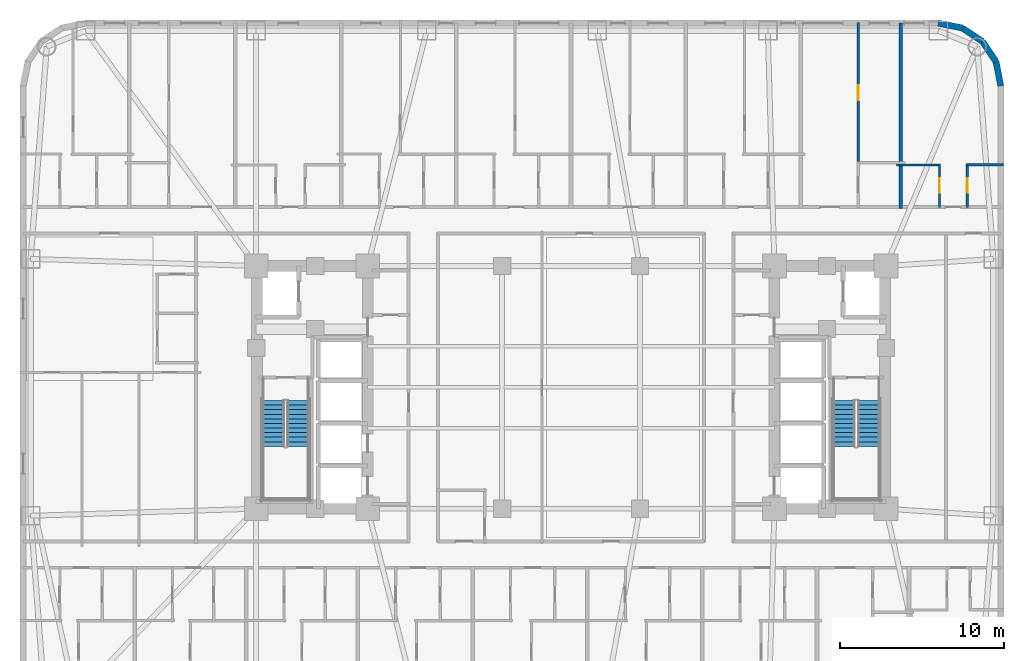
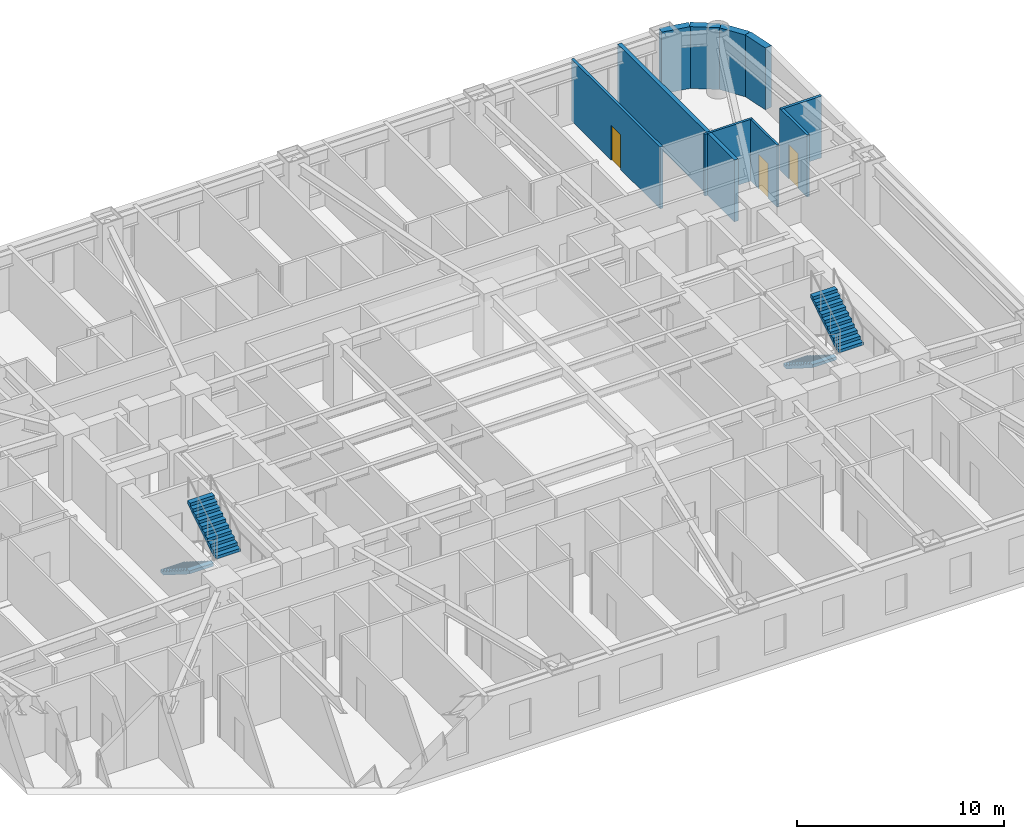
# One storey, part 10 of 12: 10 walls, 4 stair flights, 3 doors, 3 openings, 2 elements without a shape of their own.
"""IFC4 building model written with IfcOpenShell, lengths in metres."""

from ifc_helpers import new_model, si_unit, direction, frame, frame_2d, origin, place, context, subcontext, project, spatial, polyline, rectangle, outline, extrude, material, layer, layer_set, type_object, element, fill, aggregate, save


model = new_model("IFC4")

# Units and contexts
model_context = context("Model", 3, precision=1e-05, world=origin(), true_north=direction((0.0, 1.0)))
body_context = subcontext(model_context, "Body", "Model", "MODEL_VIEW")
ifc_project = project(units=[si_unit("LENGTHUNIT", "METRE"), si_unit("AREAUNIT", "SQUARE_METRE"), si_unit("VOLUMEUNIT", "CUBIC_METRE"), si_unit("PLANEANGLEUNIT", "RADIAN"), si_unit("MASSUNIT", "GRAM", prefix="KILO")], contexts=[model_context])

# Site, building, storey
site_placement = place(None, origin())
site = spatial("IfcSite", under=ifc_project, at=site_placement, CompositionType="ELEMENT")
building_placement = place(site_placement, origin())
building = spatial("IfcBuilding", under=site, at=building_placement, Name="Voryun Gate Residences", CompositionType="ELEMENT")
storey_placement = place(building_placement, frame((0.0, 0.0, 65.0)))
storey = spatial("IfcBuildingStorey", under=building, at=storey_placement, Name="L15", CompositionType="ELEMENT", Elevation=65.0)

# Walls
ifc_material_1 = material(Name="Granite masonry", Category="masonry")
ifc_layer_1 = layer(ifc_material_1, 0.3798828125, Name="W_EXT_GRANITE_380")
ifc_layer_set_1 = layer_set([ifc_layer_1], Name="Granite masonry")
wall_type_1 = type_object("IfcWallType", Name="W_EXT_GRANITE_380", PredefinedType="ELEMENTEDWALL", material=ifc_layer_set_1)
wall_1_placement = place(storey_placement, frame((22.38134765625, 22.2099609375, 0.0), z_axis=(0.0, 0.0, 1.0), x_axis=(0.980786132421, -0.195086038585, 0.0)))
element("IfcWall", 1, at=wall_1_placement, inside=storey, type_object=wall_type_1, Name="Exterior wall WEXT-L15-12", PredefinedType="ELEMENTEDWALL", context=body_context, shape_type="SweptSolid", body=[
    extrude(rectangle(XDim=1.504150390625, YDim=0.3798828125, at=frame_2d((0.751953125, 0.0))), origin(), (0.0, 0.0, 1.0), 3.64990234375),
])
for number, where, z_axis, x_axis, name in (
    (2, (23.856689453125, 21.91650390625, 0.0), (0.0, 0.0, 1.0), (0.831392092774, -0.555686231674, 0.0), "Exterior wall WEXT-L15-13"),
    (3, (25.09130859375, 21.09130859375, 0.0), (0.0, 0.0, 1.0), (0.555686231674, -0.831392092774, 0.0), "Exterior wall WEXT-L15-14"),
):
    element("IfcWall", number, at=place(storey_placement, frame(where, z_axis=z_axis, x_axis=x_axis)), inside=storey, type_object=wall_type_1, Name=name, PredefinedType="ELEMENTEDWALL", context=body_context, shape_type="SweptSolid", body=[
        extrude(rectangle(XDim=1.485107421875, YDim=0.3798828125, at=frame_2d((0.74267578125, 0.0))), origin(), (0.0, 0.0, 1.0), 3.64990234375),
    ])
wall_2_placement = place(storey_placement, frame((25.91650390625, 19.856689453125, 0.0), z_axis=(0.0, 0.0, 1.0), x_axis=(0.195086038585, -0.980786132421, 0.0)))
element("IfcWall", 4, at=wall_2_placement, inside=storey, type_object=wall_type_1, Name="Exterior wall WEXT-L15-15", PredefinedType="ELEMENTEDWALL", context=body_context, shape_type="SweptSolid", body=[
    extrude(rectangle(XDim=1.504150390625, YDim=0.3798828125, at=frame_2d((0.751953125, 0.0))), origin(), (0.0, 0.0, 1.0), 3.64990234375),
])
ifc_material_2 = material(Name="Concrete C40/50", Category="concrete")
ifc_layer_2 = layer(ifc_material_2, 0.219970703125, Name="W_PARTY_ACOUSTIC_220")
ifc_layer_set_2 = layer_set([ifc_layer_2], Name="Concrete C40/50")
wall_type_2 = type_object("IfcWallType", Name="W_PARTY_ACOUSTIC_220", PredefinedType="PARTITIONING", material=ifc_layer_set_2)
wall_3_placement = place(storey_placement, frame((20.10888671875, 10.919921875, 0.0), z_axis=(0.0, 0.0, 1.0), x_axis=(0.0, 1.0, 0.0)))
element("IfcWall", 5, at=wall_3_placement, inside=storey, type_object=wall_type_2, Name="Partition wall WP-L15-NPTY-8", PredefinedType="PARTITIONING", context=body_context, shape_type="SweptSolid", body=[
    extrude(rectangle(XDim=11.2900390625, YDim=0.219970703125, at=frame_2d((5.64501953125, 0.0))), origin(), (0.0, 0.0, 1.0), 3.64990234375),
])

# Wall, opening, door
ifc_material_3 = material(Name="Gypsum acoustic partition")
ifc_layer_3 = layer(ifc_material_3, 0.125, Name="W_UNIT_PART_125")
ifc_layer_set_3 = layer_set([ifc_layer_3], Name="Gypsum acoustic partition")
wall_type_3 = type_object("IfcWallType", Name="W_UNIT_PART_125", PredefinedType="PARTITIONING", material=ifc_layer_set_3)
wall_4_placement = place(storey_placement, frame((22.467041015625, 10.97998046875, 0.0), z_axis=(0.0, 0.0, 1.0), x_axis=(0.0, 1.0, 0.0)))
wall_4 = element("IfcWall", 6, at=wall_4_placement, inside=storey, type_object=wall_type_3, Name="Partition wall WP-L15-N9-CVK", PredefinedType="PARTITIONING", context=body_context, shape_type="SweptSolid", body=[
    extrude(rectangle(XDim=2.64990234375, YDim=0.125, at=frame_2d((1.324951171875, 0.0))), origin(), (0.0, 0.0, 1.0), 3.64990234375),
])
opening_1_placement = place(wall_4_placement, frame((0.875, 0.0, 0.0)))
opening_1 = element("IfcOpeningElement", 7, at=opening_1_placement, cuts=wall_4, Name="Opening D-INT-2", PredefinedType="OPENING", context=body_context, shape_type="SweptSolid", body=[
    extrude(rectangle(XDim=0.89990234375, YDim=2.050048828125, at=frame_2d((0.449951171875, 1.02490234375))), frame((0.0, 0.072509765625, 0.0), z_axis=(0.0, -1.0, 0.0), x_axis=(1.0, 0.0, 0.0)), (0.0, 0.0, 1.0), 0.14501953125),
])
ifc_material_4 = material(Name="Architectural oak veneer")
door_type = type_object("IfcDoorType", Name="DR_INT_BATH_900", OperationType="NOTDEFINED", PredefinedType="DOOR", material=ifc_material_4)
door_1_placement = place(opening_1_placement, origin())
door_1 = element("IfcDoor", 8, at=door_1_placement, inside=storey, type_object=door_type, Name="Door DR-L15-N9-DK", OperationType="SINGLE_SWING_LEFT", OverallHeight=2.050048828125, OverallWidth=0.89990234375, PredefinedType="DOOR", context=body_context, shape_type="SweptSolid", body=[
    extrude(rectangle(XDim=0.89990234375, YDim=2.050048828125, at=frame_2d((0.449951171875, 1.02490234375))), frame((0.0, 0.02490234375, 0.0), z_axis=(0.0, -1.0, 0.0), x_axis=(1.0, 0.0, 0.0)), (0.0, 0.0, 1.0), 0.050048828125),
])
fill(opening_1, door_1)

# Wall
wall_5_placement = place(storey_placement, frame((19.84912109375, 13.570068359375, 0.0), z_axis=(0.0, 0.0, 1.0), x_axis=(1.0, 0.0, 0.0)))
element("IfcWall", 9, at=wall_5_placement, inside=storey, type_object=wall_type_3, Name="Partition wall WP-L15-N9-CHK", PredefinedType="PARTITIONING", context=body_context, shape_type="SweptSolid", body=[
    extrude(rectangle(XDim=2.677978515625, YDim=0.125, at=frame_2d((1.3388671875, 0.0))), origin(), (0.0, 0.0, 1.0), 3.64990234375),
])

# Wall, opening, door
ifc_material_5 = material(Name="Gypsum moisture-resistant partition")
ifc_layer_4 = layer(ifc_material_5, 0.14990234375, Name="W_WET_PLUMB_150")
ifc_layer_set_4 = layer_set([ifc_layer_4], Name="Gypsum moisture-resistant partition")
wall_type_4 = type_object("IfcWallType", Name="W_WET_PLUMB_150", PredefinedType="PLUMBINGWALL", material=ifc_layer_set_4)
wall_6_placement = place(storey_placement, frame((17.510009765625, 13.659912109375, 0.0), z_axis=(0.0, 0.0, 1.0), x_axis=(0.0, 1.0, 0.0)))
wall_6 = element("IfcWall", 10, at=wall_6_placement, inside=storey, type_object=wall_type_4, Name="Partition wall WP-L15-N8-SVT2", PredefinedType="PLUMBINGWALL", context=body_context, shape_type="SweptSolid", body=[
    extrude(rectangle(XDim=8.59765625, YDim=0.14990234375, at=frame_2d((4.298828125, 0.0))), origin(), (0.0, 0.0, 1.0), 3.64990234375),
])
opening_2_placement = place(wall_6_placement, frame((3.848876953125, 0.0, 0.0)))
opening_2 = element("IfcOpeningElement", 11, at=opening_2_placement, cuts=wall_6, Name="Opening D-INT-2", PredefinedType="OPENING", context=body_context, shape_type="SweptSolid", body=[
    extrude(rectangle(XDim=0.89990234375, YDim=2.050048828125, at=frame_2d((0.449951171875, 1.02490234375))), frame((0.0, 0.0849609375, 0.0), z_axis=(0.0, -1.0, 0.0), x_axis=(1.0, 0.0, 0.0)), (0.0, 0.0, 1.0), 0.169921875),
])
door_2_placement = place(opening_2_placement, origin())
door_2 = element("IfcDoor", 12, at=door_2_placement, inside=storey, type_object=door_type, Name="Door DR-L15-N8-DK", OperationType="SINGLE_SWING_RIGHT", OverallHeight=2.050048828125, OverallWidth=0.89990234375, PredefinedType="DOOR", context=body_context, shape_type="SweptSolid", body=[
    extrude(rectangle(XDim=0.89990234375, YDim=2.050048828125, at=frame_2d((0.449951171875, 1.02490234375))), frame((0.0, 0.02490234375, 0.0), z_axis=(0.0, -1.0, 0.0), x_axis=(1.0, 0.0, 0.0)), (0.0, 0.0, 1.0), 0.050048828125),
])
fill(opening_2, door_2)

wall_7_placement = place(storey_placement, frame((24.160888671875, 10.97998046875, 0.0), z_axis=(0.0, 0.0, 1.0), x_axis=(0.0, 1.0, 0.0)))
wall_7 = element("IfcWall", 13, at=wall_7_placement, inside=storey, type_object=wall_type_4, Name="Partition wall WP-L15-N9-CVB", PredefinedType="PLUMBINGWALL", context=body_context, shape_type="SweptSolid", body=[
    extrude(rectangle(XDim=2.64990234375, YDim=0.14990234375, at=frame_2d((1.324951171875, 0.0))), origin(), (0.0, 0.0, 1.0), 3.64990234375),
])
opening_3_placement = place(wall_7_placement, frame((0.875, 0.0, 0.0)))
opening_3 = element("IfcOpeningElement", 14, at=opening_3_placement, cuts=wall_7, Name="Opening D-INT-2", PredefinedType="OPENING", context=body_context, shape_type="SweptSolid", body=[
    extrude(rectangle(XDim=0.89990234375, YDim=2.050048828125, at=frame_2d((0.449951171875, 1.02490234375))), frame((0.0, 0.0849609375, 0.0), z_axis=(0.0, -1.0, 0.0), x_axis=(1.0, 0.0, 0.0)), (0.0, 0.0, 1.0), 0.169921875),
])
door_3_placement = place(opening_3_placement, origin())
door_3 = element("IfcDoor", 15, at=door_3_placement, inside=storey, type_object=door_type, Name="Door DR-L15-N9-DB", OperationType="SINGLE_SWING_RIGHT", OverallHeight=2.050048828125, OverallWidth=0.89990234375, PredefinedType="DOOR", context=body_context, shape_type="SweptSolid", body=[
    extrude(rectangle(XDim=0.89990234375, YDim=2.050048828125, at=frame_2d((0.449951171875, 1.02490234375))), frame((0.0, 0.02490234375, 0.0), z_axis=(0.0, -1.0, 0.0), x_axis=(1.0, 0.0, 0.0)), (0.0, 0.0, 1.0), 0.050048828125),
])
fill(opening_3, door_3)

# Wall
wall_8_placement = place(storey_placement, frame((24.10107421875, 13.570068359375, 0.0), z_axis=(0.0, 0.0, 1.0), x_axis=(1.0, 0.0, 0.0)))
element("IfcWall", 16, at=wall_8_placement, inside=storey, type_object=wall_type_4, Name="Partition wall WP-L15-N9-CHB", PredefinedType="PLUMBINGWALL", context=body_context, shape_type="SweptSolid", body=[
    extrude(rectangle(XDim=2.259033203125, YDim=0.14990234375, at=frame_2d((1.12939453125, 0.0))), origin(), (0.0, 0.0, 1.0), 3.64990234375),
])

# Stair, stair flights
ifc_material_6 = material(Name="Concrete C40/50", Category="concrete")
stair_type = type_object("IfcStairType", Name="STR_CORE_DOGLEG_1350", PredefinedType="HALF_TURN_STAIR", material=ifc_material_6)
stair_1_placement = place(storey_placement, origin())
stair_1 = element("IfcStair", 17, at=stair_1_placement, inside=storey, type_object=stair_type, Name="L15 Special Escape Stair ST-W1", PredefinedType="HALF_TURN_STAIR")
ifc_material_7 = material(Name="Concrete C40/50", Category="concrete")
stair_flight_type = type_object("IfcStairFlightType", Name="FLT_CORE_1350", PredefinedType="STRAIGHT", material=ifc_material_7)
stair_flight_1_placement = place(storey_placement, frame((-18.14990234375, -0.800048828125, 0.0), z_axis=(0.0, 0.0, 1.0), x_axis=(0.0, -1.0, 0.0)))
stair_flight_1 = element("IfcStairFlight", 18, at=stair_flight_1_placement, type_object=stair_flight_type, Name="ST-W1 flight 1", NumberOfRisers=11, NumberOfTreads=10, PredefinedType="STRAIGHT", RiserHeight=0.177272727, TreadLength=0.28, context=body_context, shape_type="SweptSolid", body=[
    extrude(outline(polyline([(0.0, 0.0), (0.0, 0.17724609375), (0.280029296875, 0.17724609375), (0.280029296875, 0.3544921875), (0.56005859375, 0.3544921875), (0.56005859375, 0.53173828125), (0.840087890625, 0.53173828125), (0.840087890625, 0.708984375), (1.1201171875, 0.708984375), (1.1201171875, 0.886474609375), (1.39990234375, 0.886474609375), (1.39990234375, 1.063720703125), (1.679931640625, 1.063720703125), (1.679931640625, 1.240966796875), (1.9599609375, 1.240966796875), (1.9599609375, 1.418212890625), (2.239990234375, 1.418212890625), (2.239990234375, 1.595458984375), (2.52001953125, 1.595458984375), (2.52001953125, 1.772705078125), (2.800048828125, 1.772705078125), (2.800048828125, 1.949951171875), (2.800048828125, 1.59521484375), (0.2802734375, 0.0), (0.0, 0.0)])), frame((0.0, 0.675048828125, 0.0), z_axis=(0.0, -1.0, 0.0), x_axis=(1.0, 0.0, 0.0)), (0.0, 0.0, 1.0), 1.35009765625),
])
stair_flight_2_placement = place(storey_placement, frame((-16.64990234375, -3.60009765625, 1.949951171875), z_axis=(0.0, 0.0, 1.0), x_axis=(0.0, 1.0, 0.0)))
stair_flight_2 = element("IfcStairFlight", 19, at=stair_flight_2_placement, type_object=stair_flight_type, Name="ST-W1 flight 2", NumberOfRisers=11, NumberOfTreads=10, PredefinedType="STRAIGHT", RiserHeight=0.177272727, TreadLength=0.28, context=body_context, shape_type="SweptSolid", body=[
    extrude(outline(polyline([(0.0, 0.0), (0.0, 0.17724609375), (0.280029296875, 0.17724609375), (0.280029296875, 0.3544921875), (0.56005859375, 0.3544921875), (0.56005859375, 0.53173828125), (0.840087890625, 0.53173828125), (0.840087890625, 0.708984375), (1.1201171875, 0.708984375), (1.1201171875, 0.886474609375), (1.39990234375, 0.886474609375), (1.39990234375, 1.063720703125), (1.679931640625, 1.063720703125), (1.679931640625, 1.240966796875), (1.9599609375, 1.240966796875), (1.9599609375, 1.418212890625), (2.239990234375, 1.418212890625), (2.239990234375, 1.595458984375), (2.52001953125, 1.595458984375), (2.52001953125, 1.772705078125), (2.800048828125, 1.772705078125), (2.800048828125, 1.949951171875), (2.800048828125, 1.59521484375), (0.2802734375, 0.0), (0.0, 0.0)])), frame((0.0, 0.675048828125, 0.0), z_axis=(0.0, -1.0, 0.0), x_axis=(1.0, 0.0, 0.0)), (0.0, 0.0, 1.0), 1.35009765625),
])
aggregate(stair_1, [stair_flight_1, stair_flight_2])

stair_2_placement = place(storey_placement, origin())
stair_2 = element("IfcStair", 20, at=stair_2_placement, inside=storey, type_object=stair_type, Name="L15 Special Escape Stair ST-E1", PredefinedType="HALF_TURN_STAIR")
stair_flight_3_placement = place(storey_placement, frame((16.64990234375, -0.800048828125, 0.0), z_axis=(0.0, 0.0, 1.0), x_axis=(0.0, -1.0, 0.0)))
stair_flight_3 = element("IfcStairFlight", 21, at=stair_flight_3_placement, type_object=stair_flight_type, Name="ST-E1 flight 1", NumberOfRisers=11, NumberOfTreads=10, PredefinedType="STRAIGHT", RiserHeight=0.177272727, TreadLength=0.28, context=body_context, shape_type="SweptSolid", body=[
    extrude(outline(polyline([(0.0, 0.0), (0.0, 0.17724609375), (0.280029296875, 0.17724609375), (0.280029296875, 0.3544921875), (0.56005859375, 0.3544921875), (0.56005859375, 0.53173828125), (0.840087890625, 0.53173828125), (0.840087890625, 0.708984375), (1.1201171875, 0.708984375), (1.1201171875, 0.886474609375), (1.39990234375, 0.886474609375), (1.39990234375, 1.063720703125), (1.679931640625, 1.063720703125), (1.679931640625, 1.240966796875), (1.9599609375, 1.240966796875), (1.9599609375, 1.418212890625), (2.239990234375, 1.418212890625), (2.239990234375, 1.595458984375), (2.52001953125, 1.595458984375), (2.52001953125, 1.772705078125), (2.800048828125, 1.772705078125), (2.800048828125, 1.949951171875), (2.800048828125, 1.59521484375), (0.2802734375, 0.0), (0.0, 0.0)])), frame((0.0, 0.675048828125, 0.0), z_axis=(0.0, -1.0, 0.0), x_axis=(1.0, 0.0, 0.0)), (0.0, 0.0, 1.0), 1.35009765625),
])
stair_flight_4_placement = place(storey_placement, frame((18.14990234375, -3.60009765625, 1.949951171875), z_axis=(0.0, 0.0, 1.0), x_axis=(0.0, 1.0, 0.0)))
stair_flight_4 = element("IfcStairFlight", 22, at=stair_flight_4_placement, type_object=stair_flight_type, Name="ST-E1 flight 2", NumberOfRisers=11, NumberOfTreads=10, PredefinedType="STRAIGHT", RiserHeight=0.177272727, TreadLength=0.28, context=body_context, shape_type="SweptSolid", body=[
    extrude(outline(polyline([(0.0, 0.0), (0.0, 0.17724609375), (0.280029296875, 0.17724609375), (0.280029296875, 0.3544921875), (0.56005859375, 0.3544921875), (0.56005859375, 0.53173828125), (0.840087890625, 0.53173828125), (0.840087890625, 0.708984375), (1.1201171875, 0.708984375), (1.1201171875, 0.886474609375), (1.39990234375, 0.886474609375), (1.39990234375, 1.063720703125), (1.679931640625, 1.063720703125), (1.679931640625, 1.240966796875), (1.9599609375, 1.240966796875), (1.9599609375, 1.418212890625), (2.239990234375, 1.418212890625), (2.239990234375, 1.595458984375), (2.52001953125, 1.595458984375), (2.52001953125, 1.772705078125), (2.800048828125, 1.772705078125), (2.800048828125, 1.949951171875), (2.800048828125, 1.59521484375), (0.2802734375, 0.0), (0.0, 0.0)])), frame((0.0, 0.675048828125, 0.0), z_axis=(0.0, -1.0, 0.0), x_axis=(1.0, 0.0, 0.0)), (0.0, 0.0, 1.0), 1.35009765625),
])
aggregate(stair_2, [stair_flight_3, stair_flight_4])

save(model, "model.ifc")
